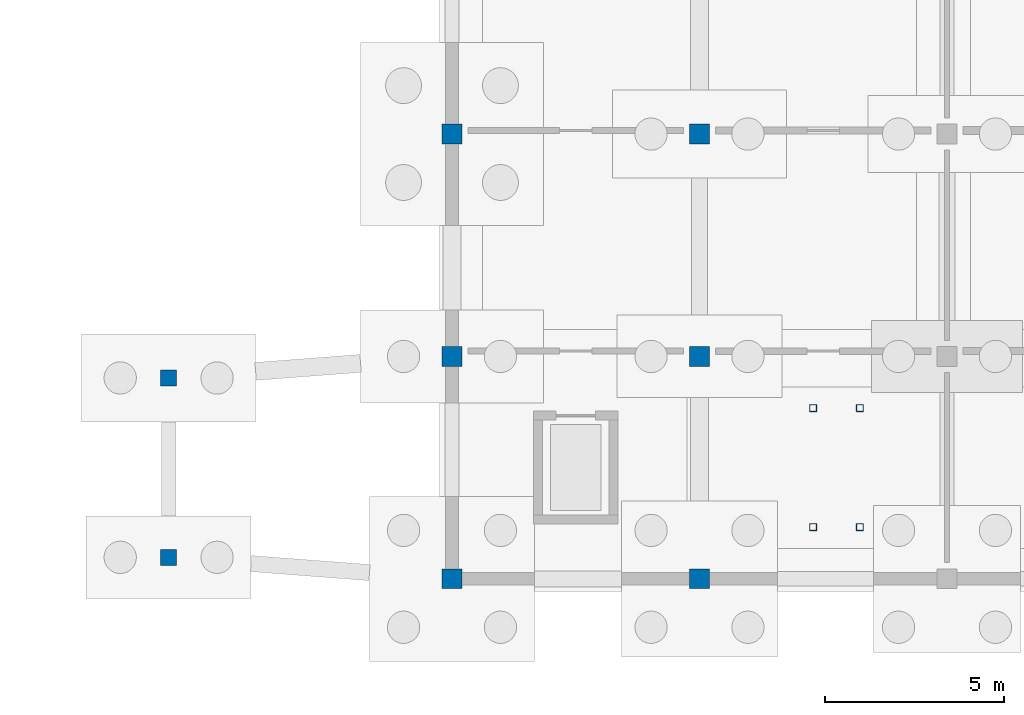
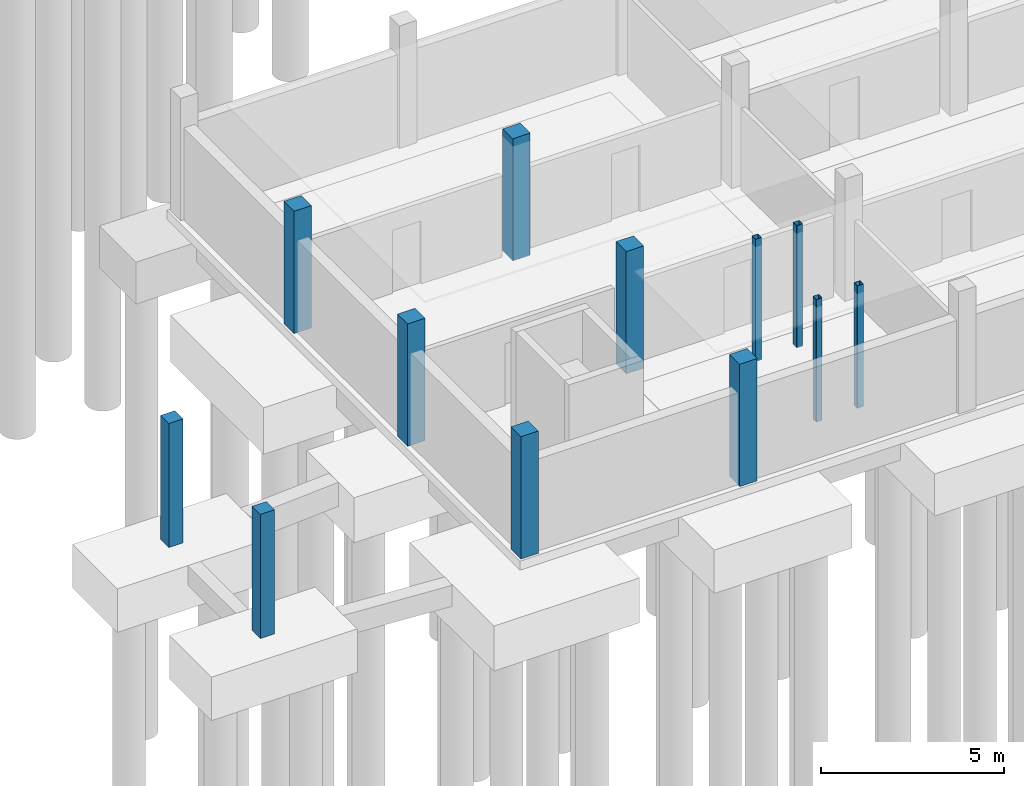
# One storey, part 17 of 58: 12 columns.
"""IFC4 building model written with IfcOpenShell, lengths in metres."""

from ifc_helpers import new_model, si_unit, direction, frame, origin, origin_2d, place, context, subcontext, project, spatial, rectangle, hollow_rectangle, extrude, material, material_profile, profile_set, type_object, element, save


model = new_model("IFC4")

# Units and contexts
model_context = context("Model", 3, precision=1e-05, world=origin(), true_north=direction((0.0, 1.0)))
body_context = subcontext(model_context, "Body", "Model", "MODEL_VIEW")
ifc_project = project(units=[si_unit("LENGTHUNIT", "METRE"), si_unit("AREAUNIT", "SQUARE_METRE"), si_unit("VOLUMEUNIT", "CUBIC_METRE"), si_unit("PLANEANGLEUNIT", "RADIAN"), si_unit("MASSUNIT", "GRAM", prefix="KILO")], contexts=[model_context])

# Site, building, storey
site_placement = place(None, origin())
site = spatial("IfcSite", under=ifc_project, at=site_placement, CompositionType="ELEMENT")
building_placement = place(site_placement, origin())
building = spatial("IfcBuilding", under=site, at=building_placement, Name="Caldaven Crescent School", CompositionType="ELEMENT")
storey_placement = place(building_placement, frame((0.0, 0.0, -4.080078125)))
storey = spatial("IfcBuildingStorey", under=building, at=storey_placement, Name="B1", CompositionType="ELEMENT", Elevation=-4.080078125)

# Columns
ifc_material_1 = material(Name="Steel ASTM A572 Grade 50", Category="steel")
ifc_material_profile_1 = material_profile(ifc_material_1, hollow_rectangle(XDim=0.199951171875, YDim=0.199951171875, WallThickness=0.010009765625, InnerFilletRadius=0.010009765625, OuterFilletRadius=0.02001953125, at=origin_2d()), Name="HSS 200x200x10")
ifc_profile_set_1 = profile_set([ifc_material_profile_1], Name="Steel ASTM A572 Grade 50")
column_type_1 = type_object("IfcColumnType", Name="COL-HS20", PredefinedType="COLUMN", material=ifc_profile_set_1)
for number, where, z_axis, x_axis, name in (
    (1, (132.969970703125, 5.639892578125, 0.0), (0.0, 0.0, 1.0), (1.0, 0.0, 0.0), "COL-STPOST-STV3-B1-A"),
    (2, (132.969970703125, 8.9599609375, 0.0), (0.0, 0.0, 1.0), (1.0, 0.0, 0.0), "COL-STPOST-STV3-B1-B"),
    (3, (134.27001953125, 5.639892578125, 0.0), (0.0, 0.0, 1.0), (1.0, 0.0, 0.0), "COL-STPOST-STV3-B1-C"),
    (4, (134.27001953125, 8.9599609375, 0.0), (0.0, 0.0, 1.0), (1.0, 0.0, 0.0), "COL-STPOST-STV3-B1-D"),
):
    element("IfcColumn", number, at=place(storey_placement, frame(where, z_axis=z_axis, x_axis=x_axis)), inside=storey, type_object=column_type_1, Name=name, PredefinedType="COLUMN", context=body_context, shape_type="SweptSolid", body=[
        extrude(hollow_rectangle(XDim=0.199951171875, YDim=0.199951171875, WallThickness=0.010009765625, InnerFilletRadius=0.010009765625, OuterFilletRadius=0.02001953125, at=origin_2d()), origin(), (0.0, 0.0, 1.0), 4.080078125),
    ])
ifc_material_2 = material(Name="Concrete C35/45", Category="concrete")
ifc_material_profile_2 = material_profile(ifc_material_2, rectangle(XDim=0.449951171875, YDim=0.449951171875, at=origin_2d()), Name="RC 450x450")
ifc_profile_set_2 = profile_set([ifc_material_profile_2], Name="Concrete C35/45")
column_type_2 = type_object("IfcColumnType", Name="COL-RC45", PredefinedType="COLUMN", material=ifc_profile_set_2)
for number, where, z_axis, x_axis, name in (
    (5, (115.0, 4.800048828125, -0.2998046875), (0.0, 0.0, 1.0), (1.0, 0.0, 0.0), "COL-LOOP-B1-3-S"),
    (6, (115.0, 9.800048828125, -0.2998046875), (0.0, 0.0, 1.0), (1.0, 0.0, 0.0), "COL-LOOP-B1-3-N"),
):
    element("IfcColumn", number, at=place(storey_placement, frame(where, z_axis=z_axis, x_axis=x_axis)), inside=storey, type_object=column_type_2, Name=name, PredefinedType="COLUMN", context=body_context, shape_type="SweptSolid", body=[
        extrude(rectangle(XDim=0.449951171875, YDim=0.449951171875, at=origin_2d()), origin(), (0.0, 0.0, 1.0), 4.139892578125),
    ])
ifc_material_profile_3 = material_profile(ifc_material_2, rectangle(XDim=0.550048828125, YDim=0.550048828125, at=origin_2d()), Name="RC 550x550")
ifc_profile_set_3 = profile_set([ifc_material_profile_3], Name="Concrete C35/45")
column_type_3 = type_object("IfcColumnType", Name="COL-RC55", PredefinedType="COLUMN", material=ifc_profile_set_3)
for number, where, z_axis, x_axis, name in (
    (7, (122.89990234375, 4.199951171875, 0.0), (0.0, 0.0, 1.0), (1.0, 0.0, 0.0), "COL-V3-B1-0-0"),
    (8, (122.89990234375, 10.39990234375, 0.0), (0.0, 0.0, 1.0), (1.0, 0.0, 0.0), "COL-V3-B1-0-1"),
    (9, (122.89990234375, 16.60009765625, 0.0), (0.0, 0.0, 1.0), (1.0, 0.0, 0.0), "COL-V3-B1-0-2"),
    (10, (129.800048828125, 4.199951171875, 0.0), (0.0, 0.0, 1.0), (1.0, 0.0, 0.0), "COL-V3-B1-1-0"),
    (11, (129.800048828125, 10.39990234375, 0.0), (0.0, 0.0, 1.0), (1.0, 0.0, 0.0), "COL-V3-B1-1-1"),
    (12, (129.800048828125, 16.60009765625, 0.0), (0.0, 0.0, 1.0), (1.0, 0.0, 0.0), "COL-V3-B1-1-2"),
):
    element("IfcColumn", number, at=place(storey_placement, frame(where, z_axis=z_axis, x_axis=x_axis)), inside=storey, type_object=column_type_3, Name=name, PredefinedType="COLUMN", context=body_context, shape_type="SweptSolid", body=[
        extrude(rectangle(XDim=0.550048828125, YDim=0.550048828125, at=origin_2d()), origin(), (0.0, 0.0, 1.0), 4.080078125),
    ])

save(model, "model.ifc")
